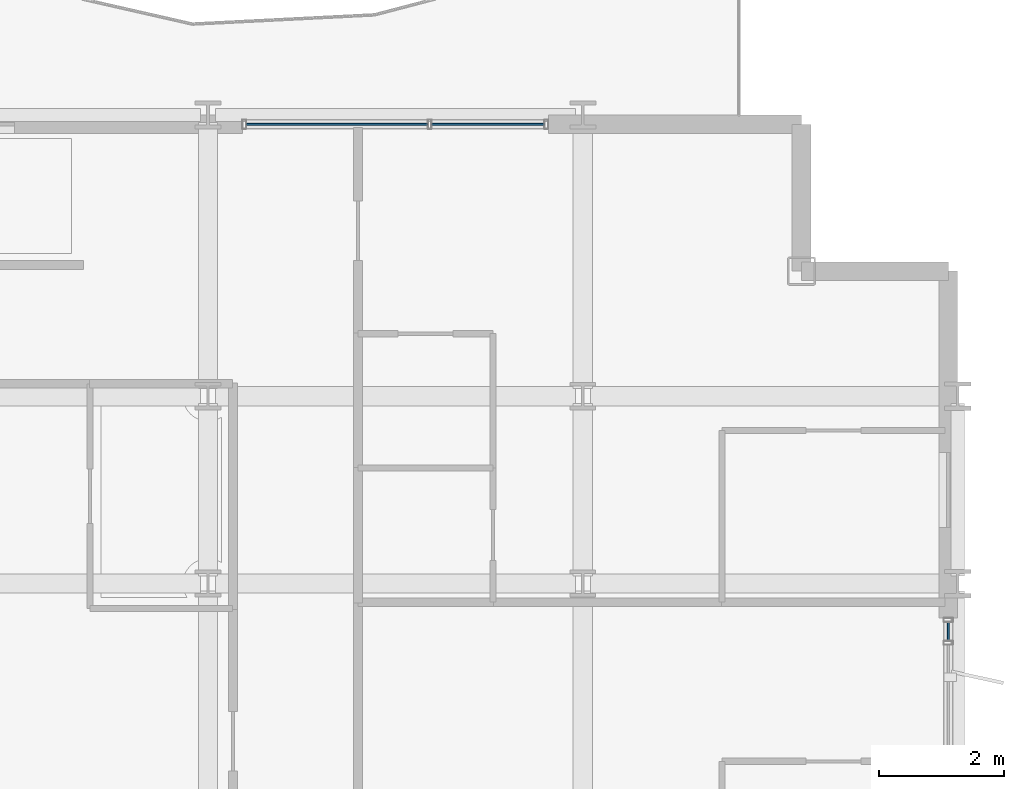
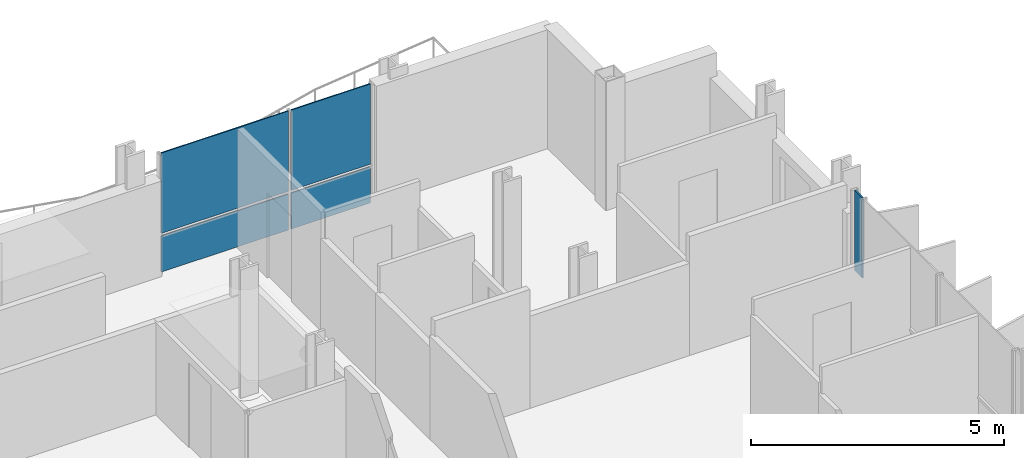
# One storey, part 24 of 38: 5 plates, 2 elements without a shape of their own.
"""IFC4 building model written with IfcOpenShell, lengths in metres."""

from ifc_helpers import new_model, si_unit, direction, frame, origin, origin_2d, place, context, subcontext, project, spatial, rectangle, extrude, material, layer, layer_set, type_object, element, aggregate, save


model = new_model("IFC4")

# Units and contexts
model_context = context("Model", 3, precision=1e-05, world=origin(), true_north=direction((0.0, 1.0)))
body_context = subcontext(model_context, "Body", "Model", "MODEL_VIEW")
ifc_project = project(units=[si_unit("LENGTHUNIT", "METRE"), si_unit("AREAUNIT", "SQUARE_METRE"), si_unit("VOLUMEUNIT", "CUBIC_METRE"), si_unit("PLANEANGLEUNIT", "RADIAN"), si_unit("MASSUNIT", "GRAM", prefix="KILO")], contexts=[model_context])

# Site, building, storey
site_placement = place(None, origin())
site = spatial("IfcSite", under=ifc_project, at=site_placement, CompositionType="ELEMENT")
building_placement = place(site_placement, origin())
building = spatial("IfcBuilding", under=site, at=building_placement, Name="Brevholm Reach", CompositionType="ELEMENT")
storey_placement = place(building_placement, frame((0.0, 0.0, 71.39990234375)))
storey = spatial("IfcBuildingStorey", under=building, at=storey_placement, Name="L20", CompositionType="ELEMENT", Elevation=71.39990234375)

# Curtain wall, plate
ifc_material_1 = material(Name="Dark Anodised Aluminium 6063-T6 and Solar-Control Glass", Category="aluminium")
ifc_layer_1 = layer(ifc_material_1, 0.14990234375)
ifc_layer_set_1 = layer_set([ifc_layer_1], Name="Dark Anodised Aluminium 6063-T6 and Solar-Control Glass")
curtain_wall_type = type_object("IfcCurtainWallType", Name="CW-01", PredefinedType="NOTDEFINED", material=ifc_layer_set_1)
curtain_wall_1_placement = place(storey_placement, origin())
curtain_wall_1 = element("IfcCurtainWall", 1, at=curtain_wall_1_placement, inside=storey, type_object=curtain_wall_type, Name="L20 Curtain Wall CW-01", PredefinedType="NOTDEFINED")
ifc_material_2 = material(Name="Dark Solar-Control Double-Glazed IGU Glass", Category="glass")
ifc_layer_2 = layer(ifc_material_2, 0.028076171875)
ifc_layer_set_2 = layer_set([ifc_layer_2], Name="Dark Solar-Control Double-Glazed IGU Glass")
plate_type = type_object("IfcPlateType", Name="CWP-GLZ-28", PredefinedType="CURTAIN_PANEL", material=ifc_layer_set_2)
plate_1_placement = place(storey_placement, frame((59.85009765625, 22.733642578125, 0.9326171875), z_axis=(0.0, 0.0, 1.0), x_axis=(0.0, 1.0, 0.0)))
plate_1 = element("IfcPlate", 2, at=plate_1_placement, type_object=plate_type, Name="CP-01 Glazing Panel 5.2", PredefinedType="CURTAIN_PANEL", context=body_context, shape_type="SweptSolid", body=[
    extrude(rectangle(XDim=0.302490234375, YDim=0.028076171875, at=origin_2d()), origin(), (0.0, 0.0, 1.0), 1.9375),
])
aggregate(curtain_wall_1, [plate_1])

# Curtain wall, plates
curtain_wall_2_placement = place(storey_placement, origin())
curtain_wall_2 = element("IfcCurtainWall", 3, at=curtain_wall_2_placement, inside=storey, type_object=curtain_wall_type, Name="L20 Curtain Wall CW-01", PredefinedType="NOTDEFINED")
plate_2_placement = place(storey_placement, frame((50.066162109375, 30.85009765625, 0.0), z_axis=(0.0, 0.0, 1.0), x_axis=(1.0, 0.0, 0.0)))
plate_2 = element("IfcPlate", 4, at=plate_2_placement, type_object=plate_type, Name="CP-01 Glazing Panel 1.1", PredefinedType="CURTAIN_PANEL", context=body_context, shape_type="SweptSolid", body=[
    extrude(rectangle(XDim=2.902587890625, YDim=0.028076171875, at=origin_2d()), origin(), (0.0, 0.0, 1.0), 0.867431640625),
])
plate_3_placement = place(storey_placement, frame((50.066162109375, 30.85009765625, 0.9326171875), z_axis=(0.0, 0.0, 1.0), x_axis=(1.0, 0.0, 0.0)))
plate_3 = element("IfcPlate", 5, at=plate_3_placement, type_object=plate_type, Name="CP-01 Glazing Panel 1.2", PredefinedType="CURTAIN_PANEL", context=body_context, shape_type="SweptSolid", body=[
    extrude(rectangle(XDim=2.902587890625, YDim=0.028076171875, at=origin_2d()), origin(), (0.0, 0.0, 1.0), 1.9375),
])
plate_4_placement = place(storey_placement, frame((52.483642578125, 30.85009765625, 0.0), z_axis=(0.0, 0.0, 1.0), x_axis=(1.0, 0.0, 0.0)))
plate_4 = element("IfcPlate", 6, at=plate_4_placement, type_object=plate_type, Name="CP-01 Glazing Panel 2.1", PredefinedType="CURTAIN_PANEL", context=body_context, shape_type="SweptSolid", body=[
    extrude(rectangle(XDim=1.802490234375, YDim=0.028076171875, at=origin_2d()), origin(), (0.0, 0.0, 1.0), 0.867431640625),
])
plate_5_placement = place(storey_placement, frame((52.483642578125, 30.85009765625, 0.9326171875), z_axis=(0.0, 0.0, 1.0), x_axis=(1.0, 0.0, 0.0)))
plate_5 = element("IfcPlate", 7, at=plate_5_placement, type_object=plate_type, Name="CP-01 Glazing Panel 2.2", PredefinedType="CURTAIN_PANEL", context=body_context, shape_type="SweptSolid", body=[
    extrude(rectangle(XDim=1.802490234375, YDim=0.028076171875, at=origin_2d()), origin(), (0.0, 0.0, 1.0), 1.9375),
])
aggregate(curtain_wall_2, [plate_2, plate_3, plate_4, plate_5])

save(model, "model.ifc")
